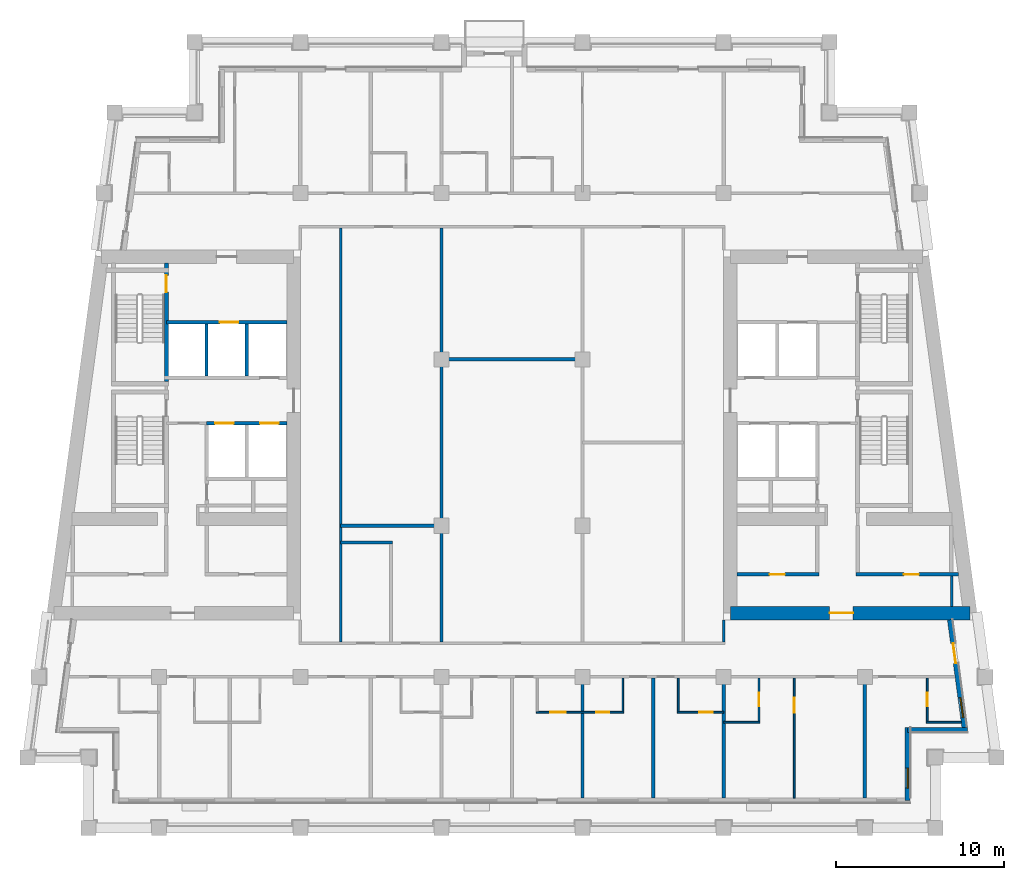
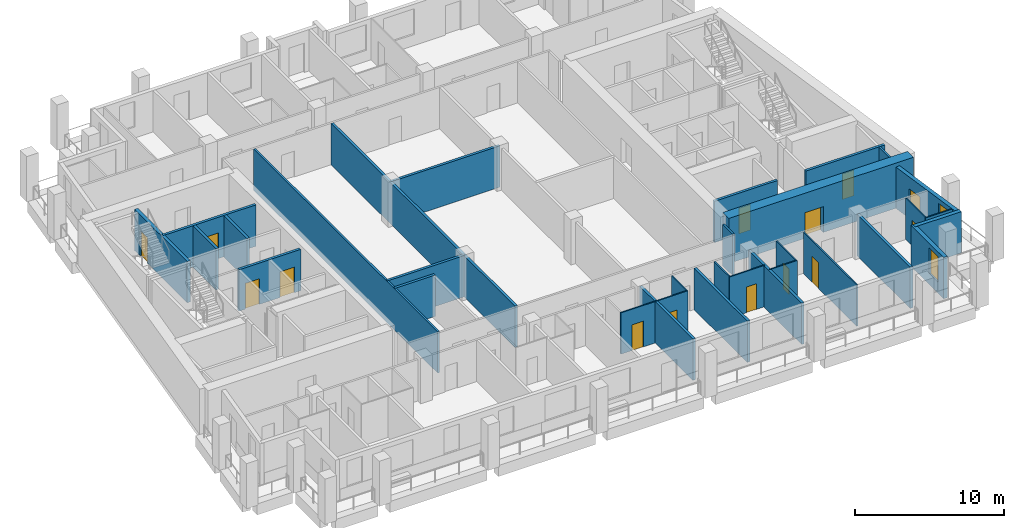
# One storey, part 4 of 12: 31 walls, 14 doors, 2 windows, 16 openings.
"""IFC4 building model written with IfcOpenShell, lengths in metres."""

from ifc_helpers import new_model, si_unit, direction, frame, frame_2d, origin, place, context, subcontext, project, spatial, rectangle, extrude, material, layer, layer_set, type_object, element, fill, save


model = new_model("IFC4")

# Units and contexts
model_context = context("Model", 3, precision=1e-05, world=origin(), true_north=direction((0.0, 1.0)))
body_context = subcontext(model_context, "Body", "Model", "MODEL_VIEW")
ifc_project = project(units=[si_unit("LENGTHUNIT", "METRE"), si_unit("AREAUNIT", "SQUARE_METRE"), si_unit("VOLUMEUNIT", "CUBIC_METRE"), si_unit("PLANEANGLEUNIT", "RADIAN"), si_unit("MASSUNIT", "GRAM", prefix="KILO")], contexts=[model_context])

# Site, building, storey
site_placement = place(None, origin())
site = spatial("IfcSite", under=ifc_project, at=site_placement, CompositionType="ELEMENT")
building_placement = place(site_placement, origin())
building = spatial("IfcBuilding", under=site, at=building_placement, Name="Candeia Pilgrim Tower and Theatre", CompositionType="ELEMENT")
storey_placement = place(building_placement, frame((0.0, 0.0, 209.60009765625)))
storey = spatial("IfcBuildingStorey", under=building, at=storey_placement, Name="L50", CompositionType="ELEMENT", Elevation=209.60009765625)

# Wall, opening, door
ifc_material_1 = material(Name="Concrete C50/60", Category="concrete")
ifc_layer_1 = layer(ifc_material_1, 0.800048828125)
ifc_layer_set_1 = layer_set([ifc_layer_1], Name="Core wall 800 C50/60")
wall_type_1 = type_object("IfcWallType", Name="Core wall 800 C50/60", PredefinedType="SHEAR", material=ifc_layer_set_1)
wall_1_placement = place(storey_placement, frame((140.67333984375, 110.800048828125, 0.0), z_axis=(0.0, 0.0, 1.0), x_axis=(-1.0, 0.0, 0.0)))
wall_1 = element("IfcWall", 1, at=wall_1_placement, inside=storey, type_object=wall_type_1, Name="Core wall E3", PredefinedType="SHEAR", context=body_context, shape_type="SweptSolid", body=[
    extrude(rectangle(XDim=14.2734375, YDim=0.800048828125, at=frame_2d((7.13671875, 0.0))), origin(), (0.0, 0.0, 1.0), 3.699951171875),
])
opening_1_placement = place(wall_1_placement, frame((6.96533203125, 0.0, 0.0)))
opening_1 = element("IfcOpeningElement", 2, at=opening_1_placement, cuts=wall_1, Name="Opening L50-D056", PredefinedType="OPENING", context=body_context, shape_type="SweptSolid", body=[
    extrude(rectangle(XDim=1.39990234375, YDim=2.10009765625, at=frame_2d((0.699951171875, 1.050048828125))), frame((0.0, 0.41015625, 0.0), z_axis=(0.0, -1.0, 0.0), x_axis=(1.0, 0.0, 0.0)), (0.0, 0.0, 1.0), 0.820068359375),
])
ifc_material_2 = material(Name="Steel fire door set", Category="steel")
door_type_1 = type_object("IfcDoorType", Name="D-1400-FD60", OperationType="NOTDEFINED", PredefinedType="DOOR", material=ifc_material_2)
door_1_placement = place(opening_1_placement, origin())
door_1 = element("IfcDoor", 3, at=door_1_placement, inside=storey, type_object=door_type_1, Name="Door L50-D056", OperationType="SINGLE_SWING_RIGHT", OverallHeight=2.10009765625, OverallWidth=1.39990234375, PredefinedType="DOOR", context=body_context, shape_type="SweptSolid", body=[
    extrude(rectangle(XDim=1.39990234375, YDim=2.10009765625, at=frame_2d((0.699951171875, 1.050048828125))), frame((0.0, 0.02490234375, 0.0), z_axis=(0.0, -1.0, 0.0), x_axis=(1.0, 0.0, 0.0)), (0.0, 0.0, 1.0), 0.050048828125),
])
fill(opening_1, door_1)

# Wall, opening, window
ifc_material_3 = material(Name="Ceramic block masonry", Category="masonry")
ifc_layer_2 = layer(ifc_material_3, 0.300048828125)
ifc_layer_set_2 = layer_set([ifc_layer_2], Name="EW1 glazing-line wall 300")
wall_type_2 = type_object("IfcWallType", Name="EW1 glazing-line wall 300", PredefinedType="SOLIDWALL", material=ifc_layer_set_2)
wall_2_placement = place(storey_placement, frame((136.949951171875, 99.64990234375, 0.0), z_axis=(0.0, 0.0, 1.0), x_axis=(0.0, 1.0, 0.0)))
wall_2 = element("IfcWall", 4, at=wall_2_placement, inside=storey, type_object=wall_type_2, Name="External wall L50-1.0", PredefinedType="SOLIDWALL", context=body_context, shape_type="SweptSolid", body=[
    extrude(rectangle(XDim=4.35009765625, YDim=0.300048828125, at=frame_2d((2.175048828125, 0.0))), origin(), (0.0, 0.0, 1.0), 3.3798828125),
])
opening_2_placement = place(wall_2_placement, frame((0.72509765625, 0.0, 0.89990234375)))
opening_2 = element("IfcOpeningElement", 5, at=opening_2_placement, cuts=wall_2, Name="Opening W-B", PredefinedType="OPENING", context=body_context, shape_type="SweptSolid", body=[
    extrude(rectangle(XDim=1.199951171875, YDim=2.10009765625, at=frame_2d((0.60009765625, 1.050048828125))), frame((0.0, 0.16015625, 0.0), z_axis=(0.0, -1.0, 0.0), x_axis=(1.0, 0.0, 0.0)), (0.0, 0.0, 1.0), 0.320068359375),
])
ifc_material_4 = material(Name="Aluminium framed double glazing", Category="aluminium")
window_type = type_object("IfcWindowType", Name="W-B window 1200x2100", PartitioningType="SINGLE_PANEL", PredefinedType="WINDOW", material=ifc_material_4)
window_1_placement = place(opening_2_placement, origin())
window_1 = element("IfcWindow", 6, at=window_1_placement, inside=storey, type_object=window_type, Name="Window W-B L50", OverallHeight=2.10009765625, OverallWidth=1.199951171875, PartitioningType="SINGLE_PANEL", PredefinedType="WINDOW", context=body_context, shape_type="SweptSolid", body=[
    extrude(rectangle(XDim=1.199951171875, YDim=2.10009765625, at=frame_2d((0.60009765625, 1.050048828125))), frame((0.0, 0.030029296875, 0.0), z_axis=(0.0, -1.0, 0.0), x_axis=(1.0, 0.0, 0.0)), (0.0, 0.0, 1.0), 0.06005859375),
])
fill(opening_2, window_1)

# Wall
wall_3_placement = place(storey_placement, frame((136.949951171875, 103.85009765625, 0.0), z_axis=(0.0, 0.0, 1.0), x_axis=(1.0, 0.0, 0.0)))
element("IfcWall", 7, at=wall_3_placement, inside=storey, type_object=wall_type_2, Name="External wall L50-2.0", PredefinedType="SOLIDWALL", context=body_context, shape_type="SweptSolid", body=[
    extrude(rectangle(XDim=3.569091796875, YDim=0.300048828125, at=frame_2d((1.78466796875, 0.0))), origin(), (0.0, 0.0, 1.0), 3.3798828125),
])

# Wall, openings, door, window
wall_4_placement = place(storey_placement, frame((140.34765625, 103.85009765625, 0.0), z_axis=(0.0, 0.0, 1.0), x_axis=(-0.133431549479, 0.991058031401, 0.0)))
wall_4 = element("IfcWall", 8, at=wall_4_placement, inside=storey, type_object=wall_type_2, Name="External wall L50-3.0", PredefinedType="SOLIDWALL", context=body_context, shape_type="SweptSolid", body=[
    extrude(rectangle(XDim=6.60888671875, YDim=0.300048828125, at=frame_2d((3.304443359375, 0.0))), origin(), (0.0, 0.0, 1.0), 3.3798828125),
])
opening_3_placement = place(wall_4_placement, frame((0.736572265625, 0.0, 0.89990234375)))
opening_3 = element("IfcOpeningElement", 9, at=opening_3_placement, cuts=wall_4, Name="Opening W-B", PredefinedType="OPENING", context=body_context, shape_type="SweptSolid", body=[
    extrude(rectangle(XDim=1.199951171875, YDim=2.10009765625, at=frame_2d((0.60009765625, 1.050048828125))), frame((0.0, 0.16015625, 0.0), z_axis=(0.0, -1.0, 0.0), x_axis=(1.0, 0.0, 0.0)), (0.0, 0.0, 1.0), 0.320068359375),
])
opening_4_placement = place(wall_4_placement, frame((3.990966796875, 0.0, 0.0)))
opening_4 = element("IfcOpeningElement", 10, at=opening_4_placement, cuts=wall_4, Name="Opening L50-ED474", PredefinedType="OPENING", context=body_context, shape_type="SweptSolid", body=[
    extrude(rectangle(XDim=1.199951171875, YDim=2.39990234375, at=frame_2d((0.60009765625, 1.199951171875))), frame((0.0, 0.16015625, 0.0), z_axis=(0.0, -1.0, 0.0), x_axis=(1.0, 0.0, 0.0)), (0.0, 0.0, 1.0), 0.320068359375),
])
ifc_material_5 = material(Name="Aluminium framed glazed door", Category="aluminium")
door_type_2 = type_object("IfcDoorType", Name="Loggia door 1200x2400", OperationType="DOUBLE_DOOR_SINGLE_SWING", PredefinedType="DOOR", material=ifc_material_5)
door_2_placement = place(opening_4_placement, origin())
door_2 = element("IfcDoor", 11, at=door_2_placement, inside=storey, type_object=door_type_2, Name="Loggia door L50-ED474", OperationType="DOUBLE_DOOR_SINGLE_SWING", OverallHeight=2.39990234375, OverallWidth=1.199951171875, PredefinedType="DOOR", context=body_context, shape_type="SweptSolid", body=[
    extrude(rectangle(XDim=1.199951171875, YDim=2.39990234375, at=frame_2d((0.60009765625, 1.199951171875))), frame((0.0, 0.02490234375, 0.0), z_axis=(0.0, -1.0, 0.0), x_axis=(1.0, 0.0, 0.0)), (0.0, 0.0, 1.0), 0.050048828125),
])
fill(opening_4, door_2)
window_2_placement = place(opening_3_placement, origin())
window_2 = element("IfcWindow", 12, at=window_2_placement, inside=storey, type_object=window_type, Name="Window W-B L50", OverallHeight=2.10009765625, OverallWidth=1.199951171875, PartitioningType="SINGLE_PANEL", PredefinedType="WINDOW", context=body_context, shape_type="SweptSolid", body=[
    extrude(rectangle(XDim=1.199951171875, YDim=2.10009765625, at=frame_2d((0.60009765625, 1.050048828125))), frame((0.0, 0.030029296875, 0.0), z_axis=(0.0, -1.0, 0.0), x_axis=(1.0, 0.0, 0.0)), (0.0, 0.0, 1.0), 0.06005859375),
])
fill(opening_3, window_2)

# Walls
ifc_material_6 = material(Name="Gypsum board partition on steel studs", Category="steel")
ifc_layer_3 = layer(ifc_material_6, 0.10009765625)
ifc_layer_set_3 = layer_set([ifc_layer_3], Name="PW-100 room partition")
wall_type_3 = type_object("IfcWallType", Name="PW-100 room partition", PredefinedType="PARTITIONING", material=ifc_layer_set_3)
wall_5_placement = place(storey_placement, frame((126.0, 104.300048828125, 0.0), z_axis=(0.0, 0.0, 1.0), x_axis=(1.0, 0.0, 0.0)))
element("IfcWall", 13, at=wall_5_placement, inside=storey, type_object=wall_type_3, Name="Room partition L50-002", PredefinedType="PARTITIONING", context=body_context, shape_type="SweptSolid", body=[
    extrude(rectangle(XDim=2.14990234375, YDim=0.10009765625, at=frame_2d((1.074951171875, 0.0))), origin(), (0.0, 0.0, 1.0), 3.3798828125),
])
wall_6_placement = place(storey_placement, frame((138.070068359375, 104.300048828125, 0.0), z_axis=(0.0, 0.0, 1.0), x_axis=(1.0, 0.0, 0.0)))
element("IfcWall", 14, at=wall_6_placement, inside=storey, type_object=wall_type_3, Name="Room partition L50-003", PredefinedType="PARTITIONING", context=body_context, shape_type="SweptSolid", body=[
    extrude(rectangle(XDim=2.07568359375, YDim=0.10009765625, at=frame_2d((1.037841796875, 0.0))), origin(), (0.0, 0.0, 1.0), 3.3798828125),
])

# Wall, openings, doors
wall_7_placement = place(storey_placement, frame((114.85009765625, 104.89990234375, 0.0), z_axis=(0.0, 0.0, 1.0), x_axis=(1.0, 0.0, 0.0)))
wall_7 = element("IfcWall", 15, at=wall_7_placement, inside=storey, type_object=wall_type_3, Name="Room partition L50-007", PredefinedType="PARTITIONING", context=body_context, shape_type="SweptSolid", body=[
    extrude(rectangle(XDim=5.199951171875, YDim=0.10009765625, at=frame_2d((2.60009765625, 0.0))), origin(), (0.0, 0.0, 1.0), 3.3798828125),
])
opening_5_placement = place(wall_7_placement, frame((0.840087890625, 0.0, 0.0)))
opening_5 = element("IfcOpeningElement", 16, at=opening_5_placement, cuts=wall_7, Name="Opening L50-D024", PredefinedType="OPENING", context=body_context, shape_type="SweptSolid", body=[
    extrude(rectangle(XDim=0.89990234375, YDim=2.10009765625, at=frame_2d((0.449951171875, 1.050048828125))), frame((0.0, 0.06005859375, 0.0), z_axis=(0.0, -1.0, 0.0), x_axis=(1.0, 0.0, 0.0)), (0.0, 0.0, 1.0), 0.1201171875),
])
opening_6_placement = place(wall_7_placement, frame((3.550048828125, 0.0, 0.0)))
opening_6 = element("IfcOpeningElement", 17, at=opening_6_placement, cuts=wall_7, Name="Opening L50-D026", PredefinedType="OPENING", context=body_context, shape_type="SweptSolid", body=[
    extrude(rectangle(XDim=0.800048828125, YDim=2.10009765625, at=frame_2d((0.39990234375, 1.050048828125))), frame((0.0, 0.06005859375, 0.0), z_axis=(0.0, -1.0, 0.0), x_axis=(1.0, 0.0, 0.0)), (0.0, 0.0, 1.0), 0.1201171875),
])
ifc_material_7 = material(Name="Timber door leaf", Category="wood")
door_type_3 = type_object("IfcDoorType", Name="D-800", OperationType="NOTDEFINED", PredefinedType="DOOR", material=ifc_material_7)
door_3_placement = place(opening_6_placement, origin())
door_3 = element("IfcDoor", 18, at=door_3_placement, inside=storey, type_object=door_type_3, Name="Door L50-D026", OperationType="SINGLE_SWING_RIGHT", OverallHeight=2.10009765625, OverallWidth=0.800048828125, PredefinedType="DOOR", context=body_context, shape_type="SweptSolid", body=[
    extrude(rectangle(XDim=0.800048828125, YDim=2.10009765625, at=frame_2d((0.39990234375, 1.050048828125))), frame((0.0, 0.02490234375, 0.0), z_axis=(0.0, -1.0, 0.0), x_axis=(1.0, 0.0, 0.0)), (0.0, 0.0, 1.0), 0.050048828125),
])
fill(opening_6, door_3)
door_type_4 = type_object("IfcDoorType", Name="D-900", OperationType="NOTDEFINED", PredefinedType="DOOR", material=ifc_material_7)
door_4_placement = place(opening_5_placement, origin())
door_4 = element("IfcDoor", 19, at=door_4_placement, inside=storey, type_object=door_type_4, Name="Door L50-D024", OperationType="SINGLE_SWING_RIGHT", OverallHeight=2.10009765625, OverallWidth=0.89990234375, PredefinedType="DOOR", context=body_context, shape_type="SweptSolid", body=[
    extrude(rectangle(XDim=0.89990234375, YDim=2.10009765625, at=frame_2d((0.449951171875, 1.050048828125))), frame((0.0, 0.02490234375, 0.0), z_axis=(0.0, -1.0, 0.0), x_axis=(1.0, 0.0, 0.0)), (0.0, 0.0, 1.0), 0.050048828125),
])
fill(opening_5, door_4)

# Wall, opening, door
wall_8_placement = place(storey_placement, frame((123.25, 104.89990234375, 0.0), z_axis=(0.0, 0.0, 1.0), x_axis=(1.0, 0.0, 0.0)))
wall_8 = element("IfcWall", 20, at=wall_8_placement, inside=storey, type_object=wall_type_3, Name="Room partition L50-008", PredefinedType="PARTITIONING", context=body_context, shape_type="SweptSolid", body=[
    extrude(rectangle(XDim=2.75, YDim=0.10009765625, at=frame_2d((1.375, 0.0))), origin(), (0.0, 0.0, 1.0), 3.3798828125),
])
opening_7_placement = place(wall_8_placement, frame((1.300048828125, 0.0, 0.0)))
opening_7 = element("IfcOpeningElement", 21, at=opening_7_placement, cuts=wall_8, Name="Opening L50-D028", PredefinedType="OPENING", context=body_context, shape_type="SweptSolid", body=[
    extrude(rectangle(XDim=0.800048828125, YDim=2.10009765625, at=frame_2d((0.39990234375, 1.050048828125))), frame((0.0, 0.06005859375, 0.0), z_axis=(0.0, -1.0, 0.0), x_axis=(1.0, 0.0, 0.0)), (0.0, 0.0, 1.0), 0.1201171875),
])
door_5_placement = place(opening_7_placement, origin())
door_5 = element("IfcDoor", 22, at=door_5_placement, inside=storey, type_object=door_type_3, Name="Door L50-D028", OperationType="SINGLE_SWING_RIGHT", OverallHeight=2.10009765625, OverallWidth=0.800048828125, PredefinedType="DOOR", context=body_context, shape_type="SweptSolid", body=[
    extrude(rectangle(XDim=0.800048828125, YDim=2.10009765625, at=frame_2d((0.39990234375, 1.050048828125))), frame((0.0, 0.02490234375, 0.0), z_axis=(0.0, -1.0, 0.0), x_axis=(1.0, 0.0, 0.0)), (0.0, 0.0, 1.0), 0.050048828125),
])
fill(opening_7, door_5)

# Walls
for number, where, z_axis, x_axis, name in (
    (23, (120.0, 104.949951171875, 0.0), (0.0, 0.0, 1.0), (0.0, 1.0, 0.0), "Room partition L50-093"),
    (24, (123.300048828125, 104.949951171875, 0.0), (0.0, 0.0, 1.0), (0.0, 1.0, 0.0), "Room partition L50-095"),
):
    element("IfcWall", number, at=place(storey_placement, frame(where, z_axis=z_axis, x_axis=x_axis)), inside=storey, type_object=wall_type_3, Name=name, PredefinedType="PARTITIONING", context=body_context, shape_type="SweptSolid", body=[
        extrude(rectangle(XDim=1.97509765625, YDim=0.10009765625, at=frame_2d((0.987548828125, 0.0))), origin(), (0.0, 0.0, 1.0), 3.3798828125),
    ])

# Wall, opening, door
wall_9_placement = place(storey_placement, frame((128.10009765625, 104.35009765625, 0.0), z_axis=(0.0, 0.0, 1.0), x_axis=(0.0, 1.0, 0.0)))
wall_9 = element("IfcWall", 25, at=wall_9_placement, inside=storey, type_object=wall_type_3, Name="Room partition L50-101", PredefinedType="PARTITIONING", context=body_context, shape_type="SweptSolid", body=[
    extrude(rectangle(XDim=2.574951171875, YDim=0.10009765625, at=frame_2d((1.28759765625, 0.0))), origin(), (0.0, 0.0, 1.0), 3.3798828125),
])
opening_8_placement = place(wall_9_placement, frame((0.89990234375, 0.0, 0.0)))
opening_8 = element("IfcOpeningElement", 26, at=opening_8_placement, cuts=wall_9, Name="Opening L50-D031", PredefinedType="OPENING", context=body_context, shape_type="SweptSolid", body=[
    extrude(rectangle(XDim=0.800048828125, YDim=2.10009765625, at=frame_2d((0.39990234375, 1.050048828125))), frame((0.0, 0.06005859375, 0.0), z_axis=(0.0, -1.0, 0.0), x_axis=(1.0, 0.0, 0.0)), (0.0, 0.0, 1.0), 0.1201171875),
])
door_6_placement = place(opening_8_placement, origin())
door_6 = element("IfcDoor", 27, at=door_6_placement, inside=storey, type_object=door_type_3, Name="Door L50-D031", OperationType="SINGLE_SWING_LEFT", OverallHeight=2.10009765625, OverallWidth=0.800048828125, PredefinedType="DOOR", context=body_context, shape_type="SweptSolid", body=[
    extrude(rectangle(XDim=0.800048828125, YDim=2.10009765625, at=frame_2d((0.39990234375, 1.050048828125))), frame((0.0, 0.02490234375, 0.0), z_axis=(0.0, -1.0, 0.0), x_axis=(1.0, 0.0, 0.0)), (0.0, 0.0, 1.0), 0.050048828125),
])
fill(opening_8, door_6)

wall_10_placement = place(storey_placement, frame((130.199951171875, 99.7900390625, 0.0), z_axis=(0.0, 0.0, 1.0), x_axis=(0.0, 1.0, 0.0)))
wall_10 = element("IfcWall", 28, at=wall_10_placement, inside=storey, type_object=wall_type_3, Name="Room partition L50-105", PredefinedType="PARTITIONING", context=body_context, shape_type="SweptSolid", body=[
    extrude(rectangle(XDim=7.135009765625, YDim=0.10009765625, at=frame_2d((3.5673828125, 0.0))), origin(), (0.0, 0.0, 1.0), 3.3798828125),
])
opening_9_placement = place(wall_10_placement, frame((5.074951171875, 0.0, 0.0)))
opening_9 = element("IfcOpeningElement", 29, at=opening_9_placement, cuts=wall_10, Name="Opening L50-D030", PredefinedType="OPENING", context=body_context, shape_type="SweptSolid", body=[
    extrude(rectangle(XDim=0.89990234375, YDim=2.10009765625, at=frame_2d((0.449951171875, 1.050048828125))), frame((0.0, 0.06005859375, 0.0), z_axis=(0.0, -1.0, 0.0), x_axis=(1.0, 0.0, 0.0)), (0.0, 0.0, 1.0), 0.1201171875),
])
door_7_placement = place(opening_9_placement, origin())
door_7 = element("IfcDoor", 30, at=door_7_placement, inside=storey, type_object=door_type_4, Name="Door L50-D030", OperationType="SINGLE_SWING_RIGHT", OverallHeight=2.10009765625, OverallWidth=0.89990234375, PredefinedType="DOOR", context=body_context, shape_type="SweptSolid", body=[
    extrude(rectangle(XDim=0.89990234375, YDim=2.10009765625, at=frame_2d((0.449951171875, 1.050048828125))), frame((0.0, 0.02490234375, 0.0), z_axis=(0.0, -1.0, 0.0), x_axis=(1.0, 0.0, 0.0)), (0.0, 0.0, 1.0), 0.050048828125),
])
fill(opening_9, door_7)

wall_11_placement = place(storey_placement, frame((138.1201171875, 104.35009765625, 0.0), z_axis=(0.0, 0.0, 1.0), x_axis=(0.0, 1.0, 0.0)))
wall_11 = element("IfcWall", 31, at=wall_11_placement, inside=storey, type_object=wall_type_3, Name="Room partition L50-118", PredefinedType="PARTITIONING", context=body_context, shape_type="SweptSolid", body=[
    extrude(rectangle(XDim=2.574951171875, YDim=0.10009765625, at=frame_2d((1.28759765625, 0.0))), origin(), (0.0, 0.0, 1.0), 3.3798828125),
])
opening_10_placement = place(wall_11_placement, frame((0.89990234375, 0.0, 0.0)))
opening_10 = element("IfcOpeningElement", 32, at=opening_10_placement, cuts=wall_11, Name="Opening L50-D033", PredefinedType="OPENING", context=body_context, shape_type="SweptSolid", body=[
    extrude(rectangle(XDim=0.800048828125, YDim=2.10009765625, at=frame_2d((0.39990234375, 1.050048828125))), frame((0.0, 0.06005859375, 0.0), z_axis=(0.0, -1.0, 0.0), x_axis=(1.0, 0.0, 0.0)), (0.0, 0.0, 1.0), 0.1201171875),
])
door_8_placement = place(opening_10_placement, origin())
door_8 = element("IfcDoor", 33, at=door_8_placement, inside=storey, type_object=door_type_3, Name="Door L50-D033", OperationType="SINGLE_SWING_LEFT", OverallHeight=2.10009765625, OverallWidth=0.800048828125, PredefinedType="DOOR", context=body_context, shape_type="SweptSolid", body=[
    extrude(rectangle(XDim=0.800048828125, YDim=2.10009765625, at=frame_2d((0.39990234375, 1.050048828125))), frame((0.0, 0.02490234375, 0.0), z_axis=(0.0, -1.0, 0.0), x_axis=(1.0, 0.0, 0.0)), (0.0, 0.0, 1.0), 0.050048828125),
])
fill(opening_10, door_8)

# Walls
ifc_layer_4 = layer(ifc_material_6, 0.14990234375)
ifc_layer_set_4 = layer_set([ifc_layer_4], Name="PW-150 lobby wall")
wall_type_4 = type_object("IfcWallType", Name="PW-150 lobby wall", PredefinedType="PARTITIONING", material=ifc_layer_set_4)
wall_12_placement = place(storey_placement, frame((139.572998046875, 111.199951171875, 0.0), z_axis=(0.0, 0.0, 1.0), x_axis=(0.0, 1.0, 0.0)))
element("IfcWall", 34, at=wall_12_placement, inside=storey, type_object=wall_type_4, Name="Lobby wall L50-120", PredefinedType="PARTITIONING", context=body_context, shape_type="SweptSolid", body=[
    extrude(rectangle(XDim=1.800048828125, YDim=0.14990234375, at=frame_2d((0.89990234375, 0.0))), origin(), (0.0, 0.0, 1.0), 3.3798828125),
])
ifc_layer_5 = layer(ifc_material_6, 0.14990234375)
ifc_layer_set_5 = layer_set([ifc_layer_5], Name="PW-150 unit wall")
wall_type_5 = type_object("IfcWallType", Name="PW-150 unit wall", PredefinedType="PARTITIONING", material=ifc_layer_set_5)
wall_13_placement = place(storey_placement, frame((103.199951171875, 109.074951171875, 0.0), z_axis=(0.0, 0.0, 1.0), x_axis=(0.0, 1.0, 0.0)))
element("IfcWall", 35, at=wall_13_placement, inside=storey, type_object=wall_type_5, Name="Unit wall L50-075", PredefinedType="PARTITIONING", context=body_context, shape_type="SweptSolid", body=[
    extrude(rectangle(XDim=24.650146484375, YDim=0.14990234375, at=frame_2d((12.3251953125, 0.0))), origin(), (0.0, 0.0, 1.0), 3.3798828125),
])
wall_14_placement = place(storey_placement, frame((126.0, 109.074951171875, 0.0), z_axis=(0.0, 0.0, 1.0), x_axis=(0.0, 1.0, 0.0)))
element("IfcWall", 36, at=wall_14_placement, inside=storey, type_object=wall_type_5, Name="Unit wall L50-099", PredefinedType="PARTITIONING", context=body_context, shape_type="SweptSolid", body=[
    extrude(rectangle(XDim=1.324951171875, YDim=0.14990234375, at=frame_2d((0.66259765625, 0.0))), origin(), (0.0, 0.0, 1.0), 3.3798828125),
])
ifc_layer_6 = layer(ifc_material_6, 0.199951171875)
ifc_layer_set_6 = layer_set([ifc_layer_6], Name="PW-200 party wall")
wall_type_6 = type_object("IfcWallType", Name="PW-200 party wall", PredefinedType="PARTITIONING", material=ifc_layer_set_6)
wall_15_placement = place(storey_placement, frame((103.199951171875, 115.0, 0.0), z_axis=(0.0, 0.0, 1.0), x_axis=(1.0, 0.0, 0.0)))
element("IfcWall", 37, at=wall_15_placement, inside=storey, type_object=wall_type_6, Name="Party wall L50-015", PredefinedType="PARTITIONING", context=body_context, shape_type="SweptSolid", body=[
    extrude(rectangle(XDim=3.10009765625, YDim=0.199951171875, at=frame_2d((1.550048828125, 0.0))), origin(), (0.0, 0.0, 1.0), 3.3798828125),
])
wall_16_placement = place(storey_placement, frame((103.199951171875, 116.0, 0.0), z_axis=(0.0, 0.0, 1.0), x_axis=(1.0, 0.0, 0.0)))
element("IfcWall", 38, at=wall_16_placement, inside=storey, type_object=wall_type_6, Name="Party wall L50-016", PredefinedType="PARTITIONING", context=body_context, shape_type="SweptSolid", body=[
    extrude(rectangle(XDim=6.0, YDim=0.199951171875, at=frame_2d((3.0, 0.0))), origin(), (0.0, 0.0, 1.0), 3.3798828125),
])
wall_17_placement = place(storey_placement, frame((109.199951171875, 125.89990234375, 0.0), z_axis=(0.0, 0.0, 1.0), x_axis=(1.0, 0.0, 0.0)))
element("IfcWall", 39, at=wall_17_placement, inside=storey, type_object=wall_type_6, Name="Party wall L50-037", PredefinedType="PARTITIONING", context=body_context, shape_type="SweptSolid", body=[
    extrude(rectangle(XDim=8.400146484375, YDim=0.199951171875, at=frame_2d((4.2001953125, 0.0))), origin(), (0.0, 0.0, 1.0), 3.3798828125),
])
wall_18_placement = place(storey_placement, frame((109.199951171875, 109.074951171875, 0.0), z_axis=(0.0, 0.0, 1.0), x_axis=(0.0, 1.0, 0.0)))
element("IfcWall", 40, at=wall_18_placement, inside=storey, type_object=wall_type_6, Name="Party wall L50-082", PredefinedType="PARTITIONING", context=body_context, shape_type="SweptSolid", body=[
    extrude(rectangle(XDim=24.650146484375, YDim=0.199951171875, at=frame_2d((12.3251953125, 0.0))), origin(), (0.0, 0.0, 1.0), 3.3798828125),
])
for number, where, z_axis, x_axis, name in (
    (41, (117.60009765625, 99.7900390625, 0.0), (0.0, 0.0, 1.0), (0.0, 1.0, 0.0), "Party wall L50-091"),
    (42, (121.800048828125, 99.7900390625, 0.0), (0.0, 0.0, 1.0), (0.0, 1.0, 0.0), "Party wall L50-094"),
    (43, (126.0, 99.7900390625, 0.0), (0.0, 0.0, 1.0), (0.0, 1.0, 0.0), "Party wall L50-097"),
    (44, (134.39990234375, 99.7900390625, 0.0), (0.0, 0.0, 1.0), (0.0, 1.0, 0.0), "Party wall L50-115"),
):
    element("IfcWall", number, at=place(storey_placement, frame(where, z_axis=z_axis, x_axis=x_axis)), inside=storey, type_object=wall_type_6, Name=name, PredefinedType="PARTITIONING", context=body_context, shape_type="SweptSolid", body=[
        extrude(rectangle(XDim=7.135009765625, YDim=0.199951171875, at=frame_2d((3.5673828125, 0.0))), origin(), (0.0, 0.0, 1.0), 3.3798828125),
    ])

# Wall, opening, door
ifc_material_8 = material(Name="Concrete C40/50", Category="concrete")
ifc_layer_7 = layer(ifc_material_8, 0.199951171875)
ifc_layer_set_7 = layer_set([ifc_layer_7], Name="SW-200 shaft wall")
wall_type_7 = type_object("IfcWallType", Name="SW-200 shaft wall", PredefinedType="PARTITIONING", material=ifc_layer_set_7)
wall_19_placement = place(storey_placement, frame((126.800048828125, 113.10009765625, 0.0), z_axis=(0.0, 0.0, 1.0), x_axis=(1.0, 0.0, 0.0)))
wall_19 = element("IfcWall", 45, at=wall_19_placement, inside=storey, type_object=wall_type_7, Name="Shaft wall L50-013", PredefinedType="PARTITIONING", context=body_context, shape_type="SweptSolid", body=[
    extrude(rectangle(XDim=4.873046875, YDim=0.199951171875, at=frame_2d((2.4365234375, 0.0))), origin(), (0.0, 0.0, 1.0), 3.3798828125),
])
opening_11_placement = place(wall_19_placement, frame((1.93603515625, 0.0, 0.0)))
opening_11 = element("IfcOpeningElement", 46, at=opening_11_placement, cuts=wall_19, Name="Opening L50-D012", PredefinedType="OPENING", context=body_context, shape_type="SweptSolid", body=[
    extrude(rectangle(XDim=0.89990234375, YDim=2.10009765625, at=frame_2d((0.449951171875, 1.050048828125))), frame((0.0, 0.10986328125, 0.0), z_axis=(0.0, -1.0, 0.0), x_axis=(1.0, 0.0, 0.0)), (0.0, 0.0, 1.0), 0.219970703125),
])
door_type_5 = type_object("IfcDoorType", Name="D-900-FD60", OperationType="NOTDEFINED", PredefinedType="DOOR", material=ifc_material_2)
door_9_placement = place(opening_11_placement, origin())
door_9 = element("IfcDoor", 47, at=door_9_placement, inside=storey, type_object=door_type_5, Name="Door L50-D012", OperationType="SINGLE_SWING_RIGHT", OverallHeight=2.10009765625, OverallWidth=0.89990234375, PredefinedType="DOOR", context=body_context, shape_type="SweptSolid", body=[
    extrude(rectangle(XDim=0.89990234375, YDim=2.10009765625, at=frame_2d((0.449951171875, 1.050048828125))), frame((0.0, 0.02490234375, 0.0), z_axis=(0.0, -1.0, 0.0), x_axis=(1.0, 0.0, 0.0)), (0.0, 0.0, 1.0), 0.050048828125),
])
fill(opening_11, door_9)

wall_20_placement = place(storey_placement, frame((133.873046875, 113.10009765625, 0.0), z_axis=(0.0, 0.0, 1.0), x_axis=(1.0, 0.0, 0.0)))
wall_20 = element("IfcWall", 48, at=wall_20_placement, inside=storey, type_object=wall_type_7, Name="Shaft wall L50-014", PredefinedType="PARTITIONING", context=body_context, shape_type="SweptSolid", body=[
    extrude(rectangle(XDim=6.116943359375, YDim=0.199951171875, at=frame_2d((3.05859375, 0.0))), origin(), (0.0, 0.0, 1.0), 3.3798828125),
])
opening_12_placement = place(wall_20_placement, frame((2.85009765625, 0.0, 0.0)))
opening_12 = element("IfcOpeningElement", 49, at=opening_12_placement, cuts=wall_20, Name="Opening L50-D011", PredefinedType="OPENING", context=body_context, shape_type="SweptSolid", body=[
    extrude(rectangle(XDim=0.89990234375, YDim=2.10009765625, at=frame_2d((0.449951171875, 1.050048828125))), frame((0.0, 0.10986328125, 0.0), z_axis=(0.0, -1.0, 0.0), x_axis=(1.0, 0.0, 0.0)), (0.0, 0.0, 1.0), 0.219970703125),
])
door_10_placement = place(opening_12_placement, origin())
door_10 = element("IfcDoor", 50, at=door_10_placement, inside=storey, type_object=door_type_5, Name="Door L50-D011", OperationType="SINGLE_SWING_LEFT", OverallHeight=2.10009765625, OverallWidth=0.89990234375, PredefinedType="DOOR", context=body_context, shape_type="SweptSolid", body=[
    extrude(rectangle(XDim=0.89990234375, YDim=2.10009765625, at=frame_2d((0.449951171875, 1.050048828125))), frame((0.0, 0.02490234375, 0.0), z_axis=(0.0, -1.0, 0.0), x_axis=(1.0, 0.0, 0.0)), (0.0, 0.0, 1.0), 0.050048828125),
])
fill(opening_12, door_10)

# Wall, openings, doors
wall_21_placement = place(storey_placement, frame((95.22705078125, 122.10009765625, 0.0), z_axis=(0.0, 0.0, 1.0), x_axis=(1.0, 0.0, 0.0)))
wall_21 = element("IfcWall", 51, at=wall_21_placement, inside=storey, type_object=wall_type_7, Name="Shaft wall L50-026", PredefinedType="PARTITIONING", context=body_context, shape_type="SweptSolid", body=[
    extrude(rectangle(XDim=4.77294921875, YDim=0.199951171875, at=frame_2d((2.386474609375, 0.0))), origin(), (0.0, 0.0, 1.0), 3.3798828125),
])
opening_13_placement = place(wall_21_placement, frame((0.4970703125, 0.0, 0.0)))
opening_13 = element("IfcOpeningElement", 52, at=opening_13_placement, cuts=wall_21, Name="Opening L50-LD01", PredefinedType="OPENING", context=body_context, shape_type="SweptSolid", body=[
    extrude(rectangle(XDim=1.10009765625, YDim=2.10009765625, at=frame_2d((0.550048828125, 1.050048828125))), frame((0.0, 0.10986328125, 0.0), z_axis=(0.0, -1.0, 0.0), x_axis=(1.0, 0.0, 0.0)), (0.0, 0.0, 1.0), 0.219970703125),
])
opening_14_placement = place(wall_21_placement, frame((3.176025390625, 0.0, 0.0)))
opening_14 = element("IfcOpeningElement", 53, at=opening_14_placement, cuts=wall_21, Name="Opening L50-LD02", PredefinedType="OPENING", context=body_context, shape_type="SweptSolid", body=[
    extrude(rectangle(XDim=1.10009765625, YDim=2.10009765625, at=frame_2d((0.550048828125, 1.050048828125))), frame((0.0, 0.10986328125, 0.0), z_axis=(0.0, -1.0, 0.0), x_axis=(1.0, 0.0, 0.0)), (0.0, 0.0, 1.0), 0.219970703125),
])
ifc_material_9 = material(Name="Glazed aluminium landing door", Category="aluminium")
door_type_6 = type_object("IfcDoorType", Name="LD-1100-EI120", OperationType="SLIDING_TO_LEFT", PredefinedType="DOOR", material=ifc_material_9)
door_11_placement = place(opening_13_placement, origin())
door_11 = element("IfcDoor", 54, at=door_11_placement, inside=storey, type_object=door_type_6, Name="Landing door 01 L50", OperationType="SLIDING_TO_LEFT", OverallHeight=2.10009765625, OverallWidth=1.10009765625, PredefinedType="DOOR", context=body_context, shape_type="SweptSolid", body=[
    extrude(rectangle(XDim=1.10009765625, YDim=2.10009765625, at=frame_2d((0.550048828125, 1.050048828125))), frame((0.0, 0.02490234375, 0.0), z_axis=(0.0, -1.0, 0.0), x_axis=(1.0, 0.0, 0.0)), (0.0, 0.0, 1.0), 0.050048828125),
])
fill(opening_13, door_11)
door_12_placement = place(opening_14_placement, origin())
door_12 = element("IfcDoor", 55, at=door_12_placement, inside=storey, type_object=door_type_6, Name="Landing door 02 L50", OperationType="SLIDING_TO_LEFT", OverallHeight=2.10009765625, OverallWidth=1.10009765625, PredefinedType="DOOR", context=body_context, shape_type="SweptSolid", body=[
    extrude(rectangle(XDim=1.10009765625, YDim=2.10009765625, at=frame_2d((0.550048828125, 1.050048828125))), frame((0.0, 0.02490234375, 0.0), z_axis=(0.0, -1.0, 0.0), x_axis=(1.0, 0.0, 0.0)), (0.0, 0.0, 1.0), 0.050048828125),
])
fill(opening_14, door_12)

# Wall, opening, door
wall_22_placement = place(storey_placement, frame((92.826904296875, 128.10009765625, 0.0), z_axis=(0.0, 0.0, 1.0), x_axis=(1.0, 0.0, 0.0)))
wall_22 = element("IfcWall", 56, at=wall_22_placement, inside=storey, type_object=wall_type_7, Name="Shaft wall L50-038", PredefinedType="PARTITIONING", context=body_context, shape_type="SweptSolid", body=[
    extrude(rectangle(XDim=7.173095703125, YDim=0.199951171875, at=frame_2d((3.58642578125, 0.0))), origin(), (0.0, 0.0, 1.0), 3.3798828125),
])
opening_15_placement = place(wall_22_placement, frame((3.18408203125, 0.0, 0.0)))
opening_15 = element("IfcOpeningElement", 57, at=opening_15_placement, cuts=wall_22, Name="Opening L50-LD03", PredefinedType="OPENING", context=body_context, shape_type="SweptSolid", body=[
    extrude(rectangle(XDim=1.10009765625, YDim=2.10009765625, at=frame_2d((0.550048828125, 1.050048828125))), frame((0.0, 0.10986328125, 0.0), z_axis=(0.0, -1.0, 0.0), x_axis=(1.0, 0.0, 0.0)), (0.0, 0.0, 1.0), 0.219970703125),
])
door_13_placement = place(opening_15_placement, origin())
door_13 = element("IfcDoor", 58, at=door_13_placement, inside=storey, type_object=door_type_6, Name="Landing door 03 L50", OperationType="SLIDING_TO_LEFT", OverallHeight=2.10009765625, OverallWidth=1.10009765625, PredefinedType="DOOR", context=body_context, shape_type="SweptSolid", body=[
    extrude(rectangle(XDim=1.10009765625, YDim=2.10009765625, at=frame_2d((0.550048828125, 1.050048828125))), frame((0.0, 0.02490234375, 0.0), z_axis=(0.0, -1.0, 0.0), x_axis=(1.0, 0.0, 0.0)), (0.0, 0.0, 1.0), 0.050048828125),
])
fill(opening_15, door_13)

# Walls
for number, where, z_axis, x_axis, name in (
    (59, (95.218017578125, 124.89990234375, 0.0), (0.0, 0.0, 1.0), (0.0, 1.0, 0.0), "Shaft wall L50-063"),
    (60, (97.60888671875, 124.89990234375, 0.0), (0.0, 0.0, 1.0), (0.0, 1.0, 0.0), "Shaft wall L50-068"),
):
    element("IfcWall", number, at=place(storey_placement, frame(where, z_axis=z_axis, x_axis=x_axis)), inside=storey, type_object=wall_type_7, Name=name, PredefinedType="PARTITIONING", context=body_context, shape_type="SweptSolid", body=[
        extrude(rectangle(XDim=3.10009765625, YDim=0.199951171875, at=frame_2d((1.550048828125, 0.0))), origin(), (0.0, 0.0, 1.0), 3.3798828125),
    ])

# Wall, opening, door
ifc_layer_8 = layer(ifc_material_8, 0.25)
ifc_layer_set_8 = layer_set([ifc_layer_8], Name="SW-250 stair wall")
wall_type_8 = type_object("IfcWallType", Name="SW-250 stair wall", PredefinedType="PARTITIONING", material=ifc_layer_set_8)
wall_23_placement = place(storey_placement, frame((92.826904296875, 124.574951171875, 0.0), z_axis=(0.0, 0.0, 1.0), x_axis=(0.0, 1.0, 0.0)))
wall_23 = element("IfcWall", 61, at=wall_23_placement, inside=storey, type_object=wall_type_8, Name="Stair wall L50-059", PredefinedType="PARTITIONING", context=body_context, shape_type="SweptSolid", body=[
    extrude(rectangle(XDim=7.054931640625, YDim=0.25, at=frame_2d((3.52734375, 0.0))), origin(), (0.0, 0.0, 1.0), 3.3798828125),
])
opening_16_placement = place(wall_23_placement, frame((5.324951171875, 0.0, 0.0)))
opening_16 = element("IfcOpeningElement", 62, at=opening_16_placement, cuts=wall_23, Name="Opening L50-D003", PredefinedType="OPENING", context=body_context, shape_type="SweptSolid", body=[
    extrude(rectangle(XDim=1.0, YDim=2.10009765625, at=frame_2d((0.5, 1.050048828125))), frame((0.0, 0.135009765625, 0.0), z_axis=(0.0, -1.0, 0.0), x_axis=(1.0, 0.0, 0.0)), (0.0, 0.0, 1.0), 0.27001953125),
])
door_type_7 = type_object("IfcDoorType", Name="D-1000-FD60", OperationType="NOTDEFINED", PredefinedType="DOOR", material=ifc_material_2)
door_14_placement = place(opening_16_placement, origin())
door_14 = element("IfcDoor", 63, at=door_14_placement, inside=storey, type_object=door_type_7, Name="Door L50-D003", OperationType="SINGLE_SWING_LEFT", OverallHeight=2.10009765625, OverallWidth=1.0, PredefinedType="DOOR", context=body_context, shape_type="SweptSolid", body=[
    extrude(rectangle(XDim=1.0, YDim=2.10009765625, at=frame_2d((0.5, 1.050048828125))), frame((0.0, 0.02490234375, 0.0), z_axis=(0.0, -1.0, 0.0), x_axis=(1.0, 0.0, 0.0)), (0.0, 0.0, 1.0), 0.050048828125),
])
fill(opening_16, door_14)

save(model, "model.ifc")
